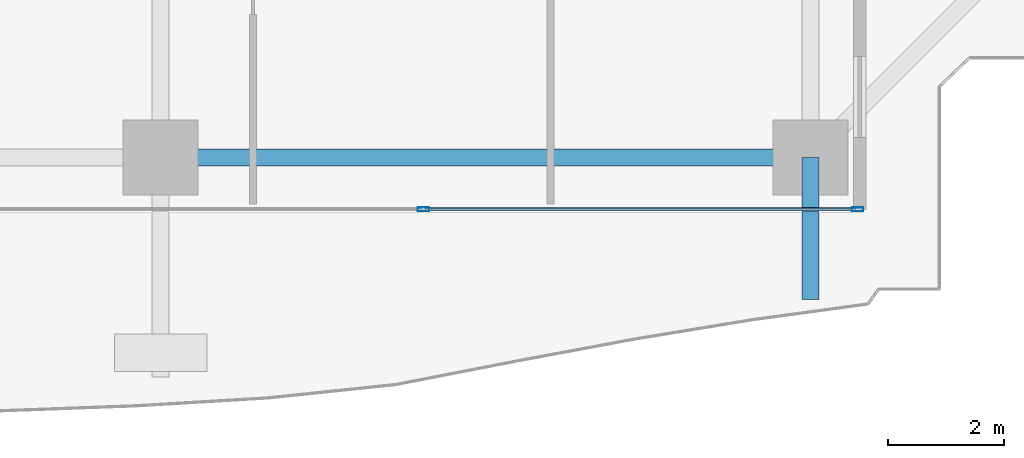
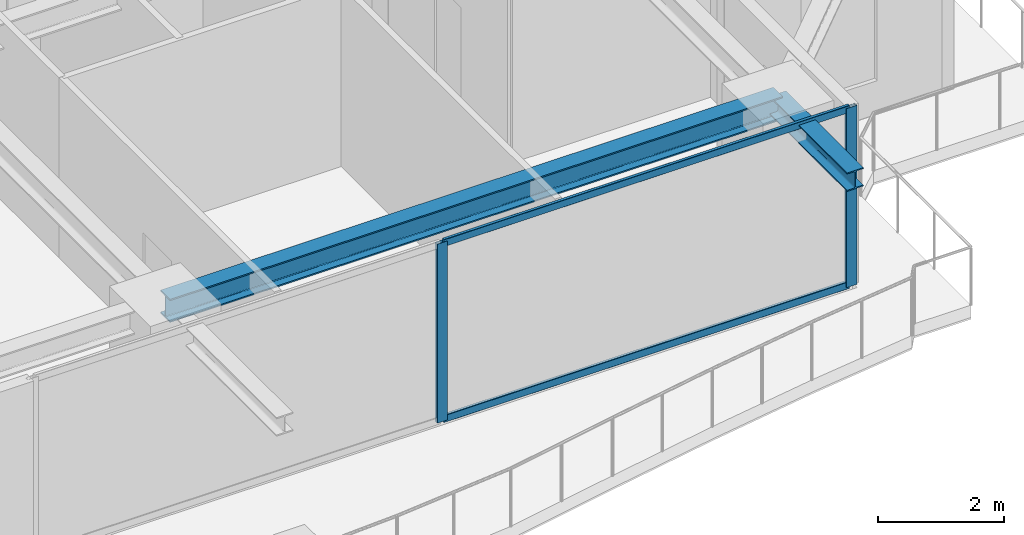
# One storey, part 11 of 34: 4 members, 2 beams, 1 element without a shape of its own.
"""IFC4 building model written with IfcOpenShell, lengths in metres."""

from ifc_helpers import new_model, si_unit, direction, frame, origin, origin_2d, place, context, subcontext, project, spatial, hollow_rectangle, i_section, extrude, source, transform, mapped, material, layer, layer_set, material_profile, profile_set, type_object, element, aggregate, save


model = new_model("IFC4")

# Units and contexts
model_context = context("Model", 3, precision=1e-05, world=origin(), true_north=direction((0.0, 1.0)))
body_context = subcontext(model_context, "Body", "Model", "MODEL_VIEW")
ifc_project = project(units=[si_unit("LENGTHUNIT", "METRE"), si_unit("AREAUNIT", "SQUARE_METRE"), si_unit("VOLUMEUNIT", "CUBIC_METRE"), si_unit("PLANEANGLEUNIT", "RADIAN"), si_unit("MASSUNIT", "GRAM", prefix="KILO")], contexts=[model_context])

# Site, building, storey
site_placement = place(None, origin())
site = spatial("IfcSite", under=ifc_project, at=site_placement, CompositionType="ELEMENT")
building_placement = place(site_placement, origin())
building = spatial("IfcBuilding", under=site, at=building_placement, Name="Serunith Strait Residences", CompositionType="ELEMENT")
storey_placement = place(building_placement, frame((0.0, 0.0, 142.64990234375)))
storey = spatial("IfcBuildingStorey", under=building, at=storey_placement, Name="L35", CompositionType="ELEMENT", Elevation=142.64990234375)

# Beams
ifc_material_1 = material(Name="Steel S355J2", Category="steel")
ifc_material_profile_1 = material_profile(ifc_material_1, i_section(OverallWidth=0.300048828125, OverallDepth=0.449951171875, WebThickness=0.013916015625, FlangeThickness=0.02587890625, FilletRadius=0.027099609375, at=origin_2d()), Name="HEB 450")
ifc_profile_set_1 = profile_set([ifc_material_profile_1], Name="Steel S355J2")
beam_type_1 = type_object("IfcBeamType", Name="BM-HEB450", PredefinedType="BEAM", material=ifc_profile_set_1)
shared_shape_1 = source(origin(), body_context, "Body", "SweptSolid", [
    extrude(i_section(OverallWidth=0.300048828125, OverallDepth=0.449951171875, WebThickness=0.013916015625, FlangeThickness=0.02587890625, FilletRadius=0.027099609375, at=origin_2d()), origin(), (0.0, 0.0, 1.0), 11.25),
])
beam_1_placement = place(storey_placement, frame((36.89990234375, 2.300048828125, 3.26220703125), z_axis=(1.0, 0.0, 0.0), x_axis=(0.0, 1.0, 0.0)))
element("IfcBeam", 1, at=beam_1_placement, inside=storey, type_object=beam_type_1, Name="L35 Perimeter Ring Beam 03", PredefinedType="BEAM", context=body_context, shape_type="MappedRepresentation", body=[
    mapped(shared_shape_1, transform((0.0, 0.0, 0.0), scale=1.0)),
])
ifc_material_profile_2 = material_profile(ifc_material_1, i_section(OverallWidth=0.300048828125, OverallDepth=0.360107421875, WebThickness=0.012451171875, FlangeThickness=0.0224609375, FilletRadius=0.027099609375, at=origin_2d()), Name="HEB 360")
ifc_profile_set_2 = profile_set([ifc_material_profile_2], Name="Steel S355J2")
beam_type_2 = type_object("IfcBeamType", Name="BM-HEB360", PredefinedType="BEAM", material=ifc_profile_set_2)
shared_shape_2 = source(origin(), body_context, "Body", "SweptSolid", [
    extrude(i_section(OverallWidth=0.300048828125, OverallDepth=0.360107421875, WebThickness=0.012451171875, FlangeThickness=0.0224609375, FilletRadius=0.027099609375, at=origin_2d()), origin(), (0.0, 0.0, 1.0), 2.4599609375),
])
beam_2_placement = place(storey_placement, frame((48.14990234375, 2.300048828125, 3.277099609375), z_axis=(0.0, -1.0, 0.0), x_axis=(1.0, 0.0, 0.0)))
element("IfcBeam", 2, at=beam_2_placement, inside=storey, type_object=beam_type_2, Name="L36 Cantilevered Balcony Rib TC-S4", PredefinedType="BEAM", context=body_context, shape_type="MappedRepresentation", body=[
    mapped(shared_shape_2, transform((0.0, 0.0, 0.0), scale=1.0)),
])

# Curtain wall, members
ifc_material_2 = material(Name="Pale-Champagne Anodised Aluminium", Category="aluminium")
ifc_layer = layer(ifc_material_2, 0.199951171875, Name="Pale-Champagne Anodised Aluminium")
ifc_layer_set = layer_set([ifc_layer], Name="Pale-Champagne Anodised Aluminium")
curtain_wall_type = type_object("IfcCurtainWallType", Name="CW-SYS2", PredefinedType="NOTDEFINED", material=ifc_layer_set)
curtain_wall_placement = place(storey_placement, origin())
curtain_wall = element("IfcCurtainWall", 3, at=curtain_wall_placement, inside=storey, type_object=curtain_wall_type, Name="L35 S Unitised Fritted Curtain Wall", PredefinedType="NOTDEFINED")
ifc_material_profile_3 = material_profile(ifc_material_2, hollow_rectangle(XDim=0.070068359375, YDim=0.199951171875, WallThickness=0.00390625, InnerFilletRadius=0.006103515625, OuterFilletRadius=0.010009765625, at=origin_2d()), Name="ALU 200x70x4")
ifc_profile_set_3 = profile_set([ifc_material_profile_3], Name="Pale-Champagne Anodised Aluminium")
member_type_1 = type_object("IfcMemberType", Name="CW-SYS2-MULL", PredefinedType="MULLION", material=ifc_profile_set_3)
shared_shape_3 = source(origin(), body_context, "Body", "SweptSolid", [
    extrude(hollow_rectangle(XDim=0.070068359375, YDim=0.199951171875, WallThickness=0.00390625, InnerFilletRadius=0.006103515625, OuterFilletRadius=0.010009765625, at=origin_2d()), origin(), (0.0, 0.0, 1.0), 3.47509765625),
])
member_1_placement = place(storey_placement, frame((41.449951171875, 1.39990234375, 0.0), z_axis=(0.0, 0.0, 1.0), x_axis=(0.0, 1.0, 0.0)))
member_1 = element("IfcMember", 4, at=member_1_placement, type_object=member_type_1, Name="CW-2 mullion 2", PredefinedType="MULLION", context=body_context, shape_type="MappedRepresentation", body=[
    mapped(shared_shape_3, transform((0.0, 0.0, 0.0), scale=1.0)),
])
member_2_placement = place(storey_placement, frame((48.965087890625, 1.39990234375, 0.0), z_axis=(0.0, 0.0, 1.0), x_axis=(0.0, 1.0, 0.0)))
member_2 = element("IfcMember", 5, at=member_2_placement, type_object=member_type_1, Name="CW-2 mullion 3", PredefinedType="MULLION", context=body_context, shape_type="MappedRepresentation", body=[
    mapped(shared_shape_3, transform((0.0, 0.0, 0.0), scale=1.0)),
])
ifc_material_profile_4 = material_profile(ifc_material_2, hollow_rectangle(XDim=0.06005859375, YDim=0.139892578125, WallThickness=0.00341796875, InnerFilletRadius=0.00537109375, OuterFilletRadius=0.0087890625, at=origin_2d()), Name="ALU 140x60x3.5")
ifc_profile_set_4 = profile_set([ifc_material_profile_4], Name="Pale-Champagne Anodised Aluminium")
member_type_2 = type_object("IfcMemberType", Name="CW-SYS2-TRAN", PredefinedType="USERDEFINED", material=ifc_profile_set_4)
shared_shape_4 = source(origin(), body_context, "Body", "SweptSolid", [
    extrude(hollow_rectangle(XDim=0.06005859375, YDim=0.139892578125, WallThickness=0.00341796875, InnerFilletRadius=0.00537109375, OuterFilletRadius=0.0087890625, at=origin_2d()), origin(), (0.0, 0.0, 1.0), 7.44482421875),
])
member_3_placement = place(storey_placement, frame((41.485107421875, 1.39990234375, 0.030029296875), z_axis=(1.0, 0.0, 0.0), x_axis=(0.0, 1.0, 0.0)))
member_3 = element("IfcMember", 6, at=member_3_placement, type_object=member_type_2, Name="CW-2 transom 2.1", ObjectType="TRANSOM", PredefinedType="USERDEFINED", context=body_context, shape_type="MappedRepresentation", body=[
    mapped(shared_shape_4, transform((0.0, 0.0, 0.0), scale=1.0)),
])
member_4_placement = place(storey_placement, frame((41.485107421875, 1.39990234375, 3.445068359375), z_axis=(1.0, 0.0, 0.0), x_axis=(0.0, 1.0, 0.0)))
member_4 = element("IfcMember", 7, at=member_4_placement, type_object=member_type_2, Name="CW-2 transom 2.2", ObjectType="TRANSOM", PredefinedType="USERDEFINED", context=body_context, shape_type="MappedRepresentation", body=[
    mapped(shared_shape_4, transform((0.0, 0.0, 0.0), scale=1.0)),
])
aggregate(curtain_wall, [member_1, member_2, member_3, member_4])

save(model, "model.ifc")
